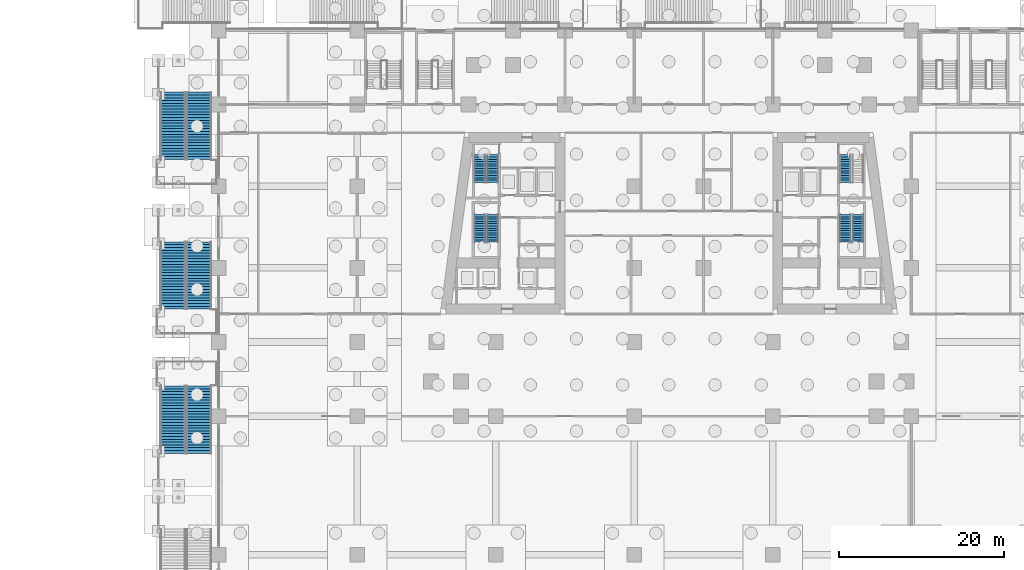
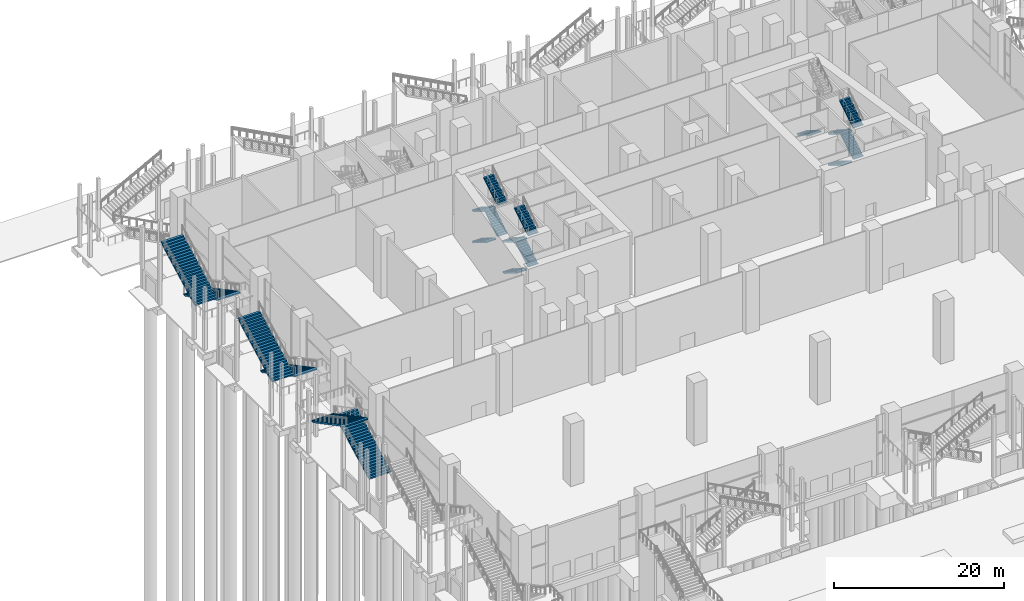
# One storey, part 52 of 72: 19 stair flights, 7 elements without a shape of their own.
"""IFC4 building model written with IfcOpenShell, lengths in metres."""

from ifc_helpers import new_model, si_unit, direction, frame, origin, place, context, subcontext, project, spatial, polyline, outline, extrude, material, type_object, element, aggregate, save


model = new_model("IFC4")

# Units and contexts
model_context = context("Model", 3, precision=1e-05, world=origin(), true_north=direction((0.0, 1.0)))
body_context = subcontext(model_context, "Body", "Model", "MODEL_VIEW")
ifc_project = project(units=[si_unit("LENGTHUNIT", "METRE"), si_unit("AREAUNIT", "SQUARE_METRE"), si_unit("VOLUMEUNIT", "CUBIC_METRE"), si_unit("PLANEANGLEUNIT", "RADIAN"), si_unit("MASSUNIT", "GRAM", prefix="KILO")], contexts=[model_context])

# Site, building, storey
site_placement = place(None, origin())
site = spatial("IfcSite", under=ifc_project, at=site_placement, CompositionType="ELEMENT")
building_placement = place(site_placement, origin())
building = spatial("IfcBuilding", under=site, at=building_placement, Name="Candeia Pilgrim Tower and Theatre", CompositionType="ELEMENT")
storey_placement = place(building_placement, origin())
storey = spatial("IfcBuildingStorey", under=building, at=storey_placement, Name="L00", CompositionType="ELEMENT", Elevation=0.0)

# Stair, stair flights
ifc_material = material(Name="Concrete C40/50", Category="concrete")
stair_type_1 = type_object("IfcStairType", Name="ST-EXT external escape stair", PredefinedType="HALF_TURN_STAIR", material=ifc_material)
stair_1_placement = place(storey_placement, origin())
stair_1 = element("IfcStair", 1, at=stair_1_placement, inside=storey, type_object=stair_type_1, Name="L00 External escape stair ES12", PredefinedType="HALF_TURN_STAIR")
stair_flight_type_1 = type_object("IfcStairFlightType", Name="SFL-EXT stair flight", PredefinedType="STRAIGHT", material=ifc_material)
stair_flight_1_placement = place(storey_placement, frame((56.39990234375, 93.5, 0.0), z_axis=(0.0, 0.0, 1.0), x_axis=(0.0, 1.0, 0.0)))
stair_flight_1 = element("IfcStairFlight", 2, at=stair_flight_1_placement, type_object=stair_flight_type_1, Name="ES12 flight 1", NumberOfRisers=25, NumberOfTreads=24, PredefinedType="STRAIGHT", RiserHeight=0.18, TreadLength=0.34, context=body_context, shape_type="SweptSolid", body=[
    extrude(outline(polyline([(0.0, 0.0), (0.0, 0.179931640625), (0.340087890625, 0.179931640625), (0.340087890625, 0.360107421875), (0.679931640625, 0.360107421875), (0.679931640625, 0.5400390625), (1.02001953125, 0.5400390625), (1.02001953125, 0.719970703125), (1.360107421875, 0.719970703125), (1.360107421875, 0.89990234375), (1.699951171875, 0.89990234375), (1.699951171875, 1.080078125), (2.0400390625, 1.080078125), (2.0400390625, 1.260009765625), (2.3798828125, 1.260009765625), (2.3798828125, 1.43994140625), (2.719970703125, 1.43994140625), (2.719970703125, 1.6201171875), (3.06005859375, 1.6201171875), (3.06005859375, 1.800048828125), (3.39990234375, 1.800048828125), (3.39990234375, 1.97998046875), (3.739990234375, 1.97998046875), (3.739990234375, 2.159912109375), (4.080078125, 2.159912109375), (4.080078125, 2.340087890625), (4.419921875, 2.340087890625), (4.419921875, 2.52001953125), (4.760009765625, 2.52001953125), (4.760009765625, 2.699951171875), (5.10009765625, 2.699951171875), (5.10009765625, 2.8798828125), (5.43994140625, 2.8798828125), (5.43994140625, 3.06005859375), (5.780029296875, 3.06005859375), (5.780029296875, 3.239990234375), (6.1201171875, 3.239990234375), (6.1201171875, 3.419921875), (6.4599609375, 3.419921875), (6.4599609375, 3.60009765625), (6.800048828125, 3.60009765625), (6.800048828125, 3.780029296875), (7.139892578125, 3.780029296875), (7.139892578125, 3.9599609375), (7.47998046875, 3.9599609375), (7.47998046875, 4.139892578125), (7.820068359375, 4.139892578125), (7.820068359375, 4.320068359375), (8.159912109375, 4.320068359375), (8.159912109375, 4.5), (8.159912109375, 4.150390625), (0.3203125, 0.0), (0.0, 0.0)])), frame((0.0, 1.5, 0.0), z_axis=(0.0, -1.0, 0.0), x_axis=(1.0, 0.0, 0.0)), (0.0, 0.0, 1.0), 3.0),
])
stair_flight_2_placement = place(storey_placement, frame((53.25, 101.659912109375, 4.5), z_axis=(0.0, 0.0, 1.0), x_axis=(0.0, -1.0, 0.0)))
stair_flight_2 = element("IfcStairFlight", 3, at=stair_flight_2_placement, type_object=stair_flight_type_1, Name="ES12 flight 2", NumberOfRisers=25, NumberOfTreads=24, PredefinedType="STRAIGHT", RiserHeight=0.18, TreadLength=0.34, context=body_context, shape_type="SweptSolid", body=[
    extrude(outline(polyline([(0.0, 0.0), (0.0, 0.179931640625), (0.340087890625, 0.179931640625), (0.340087890625, 0.360107421875), (0.679931640625, 0.360107421875), (0.679931640625, 0.5400390625), (1.02001953125, 0.5400390625), (1.02001953125, 0.719970703125), (1.360107421875, 0.719970703125), (1.360107421875, 0.89990234375), (1.699951171875, 0.89990234375), (1.699951171875, 1.080078125), (2.0400390625, 1.080078125), (2.0400390625, 1.260009765625), (2.3798828125, 1.260009765625), (2.3798828125, 1.43994140625), (2.719970703125, 1.43994140625), (2.719970703125, 1.6201171875), (3.06005859375, 1.6201171875), (3.06005859375, 1.800048828125), (3.39990234375, 1.800048828125), (3.39990234375, 1.97998046875), (3.739990234375, 1.97998046875), (3.739990234375, 2.159912109375), (4.080078125, 2.159912109375), (4.080078125, 2.340087890625), (4.419921875, 2.340087890625), (4.419921875, 2.52001953125), (4.760009765625, 2.52001953125), (4.760009765625, 2.699951171875), (5.10009765625, 2.699951171875), (5.10009765625, 2.8798828125), (5.43994140625, 2.8798828125), (5.43994140625, 3.06005859375), (5.780029296875, 3.06005859375), (5.780029296875, 3.239990234375), (6.1201171875, 3.239990234375), (6.1201171875, 3.419921875), (6.4599609375, 3.419921875), (6.4599609375, 3.60009765625), (6.800048828125, 3.60009765625), (6.800048828125, 3.780029296875), (7.139892578125, 3.780029296875), (7.139892578125, 3.9599609375), (7.47998046875, 3.9599609375), (7.47998046875, 4.139892578125), (7.820068359375, 4.139892578125), (7.820068359375, 4.320068359375), (8.159912109375, 4.320068359375), (8.159912109375, 4.5), (8.159912109375, 4.150390625), (0.3203125, 0.0), (0.0, 0.0)])), frame((0.0, 1.5, 0.0), z_axis=(0.0, -1.0, 0.0), x_axis=(1.0, 0.0, 0.0)), (0.0, 0.0, 1.0), 3.0),
])
aggregate(stair_1, [stair_flight_1, stair_flight_2])

stair_2_placement = place(storey_placement, origin())
stair_2 = element("IfcStair", 4, at=stair_2_placement, inside=storey, type_object=stair_type_1, Name="L00 External escape stair ES13", PredefinedType="HALF_TURN_STAIR")
stair_flight_3_placement = place(storey_placement, frame((56.39990234375, 137.300048828125, 0.0), z_axis=(0.0, 0.0, 1.0), x_axis=(0.0, -1.0, 0.0)))
stair_flight_3 = element("IfcStairFlight", 5, at=stair_flight_3_placement, type_object=stair_flight_type_1, Name="ES13 flight 1", NumberOfRisers=25, NumberOfTreads=24, PredefinedType="STRAIGHT", RiserHeight=0.18, TreadLength=0.34, context=body_context, shape_type="SweptSolid", body=[
    extrude(outline(polyline([(0.0, 0.0), (0.0, 0.179931640625), (0.340087890625, 0.179931640625), (0.340087890625, 0.360107421875), (0.679931640625, 0.360107421875), (0.679931640625, 0.5400390625), (1.02001953125, 0.5400390625), (1.02001953125, 0.719970703125), (1.360107421875, 0.719970703125), (1.360107421875, 0.89990234375), (1.699951171875, 0.89990234375), (1.699951171875, 1.080078125), (2.0400390625, 1.080078125), (2.0400390625, 1.260009765625), (2.3798828125, 1.260009765625), (2.3798828125, 1.43994140625), (2.719970703125, 1.43994140625), (2.719970703125, 1.6201171875), (3.06005859375, 1.6201171875), (3.06005859375, 1.800048828125), (3.39990234375, 1.800048828125), (3.39990234375, 1.97998046875), (3.739990234375, 1.97998046875), (3.739990234375, 2.159912109375), (4.080078125, 2.159912109375), (4.080078125, 2.340087890625), (4.419921875, 2.340087890625), (4.419921875, 2.52001953125), (4.760009765625, 2.52001953125), (4.760009765625, 2.699951171875), (5.10009765625, 2.699951171875), (5.10009765625, 2.8798828125), (5.43994140625, 2.8798828125), (5.43994140625, 3.06005859375), (5.780029296875, 3.06005859375), (5.780029296875, 3.239990234375), (6.1201171875, 3.239990234375), (6.1201171875, 3.419921875), (6.4599609375, 3.419921875), (6.4599609375, 3.60009765625), (6.800048828125, 3.60009765625), (6.800048828125, 3.780029296875), (7.139892578125, 3.780029296875), (7.139892578125, 3.9599609375), (7.47998046875, 3.9599609375), (7.47998046875, 4.139892578125), (7.820068359375, 4.139892578125), (7.820068359375, 4.320068359375), (8.159912109375, 4.320068359375), (8.159912109375, 4.5), (8.159912109375, 4.150390625), (0.3203125, 0.0), (0.0, 0.0)])), frame((0.0, 1.5, 0.0), z_axis=(0.0, -1.0, 0.0), x_axis=(1.0, 0.0, 0.0)), (0.0, 0.0, 1.0), 3.0),
])
stair_flight_4_placement = place(storey_placement, frame((53.25, 129.139892578125, 4.5), z_axis=(0.0, 0.0, 1.0), x_axis=(0.0, 1.0, 0.0)))
stair_flight_4 = element("IfcStairFlight", 6, at=stair_flight_4_placement, type_object=stair_flight_type_1, Name="ES13 flight 2", NumberOfRisers=25, NumberOfTreads=24, PredefinedType="STRAIGHT", RiserHeight=0.18, TreadLength=0.34, context=body_context, shape_type="SweptSolid", body=[
    extrude(outline(polyline([(0.0, 0.0), (0.0, 0.179931640625), (0.340087890625, 0.179931640625), (0.340087890625, 0.360107421875), (0.679931640625, 0.360107421875), (0.679931640625, 0.5400390625), (1.02001953125, 0.5400390625), (1.02001953125, 0.719970703125), (1.360107421875, 0.719970703125), (1.360107421875, 0.89990234375), (1.699951171875, 0.89990234375), (1.699951171875, 1.080078125), (2.0400390625, 1.080078125), (2.0400390625, 1.260009765625), (2.3798828125, 1.260009765625), (2.3798828125, 1.43994140625), (2.719970703125, 1.43994140625), (2.719970703125, 1.6201171875), (3.06005859375, 1.6201171875), (3.06005859375, 1.800048828125), (3.39990234375, 1.800048828125), (3.39990234375, 1.97998046875), (3.739990234375, 1.97998046875), (3.739990234375, 2.159912109375), (4.080078125, 2.159912109375), (4.080078125, 2.340087890625), (4.419921875, 2.340087890625), (4.419921875, 2.52001953125), (4.760009765625, 2.52001953125), (4.760009765625, 2.699951171875), (5.10009765625, 2.699951171875), (5.10009765625, 2.8798828125), (5.43994140625, 2.8798828125), (5.43994140625, 3.06005859375), (5.780029296875, 3.06005859375), (5.780029296875, 3.239990234375), (6.1201171875, 3.239990234375), (6.1201171875, 3.419921875), (6.4599609375, 3.419921875), (6.4599609375, 3.60009765625), (6.800048828125, 3.60009765625), (6.800048828125, 3.780029296875), (7.139892578125, 3.780029296875), (7.139892578125, 3.9599609375), (7.47998046875, 3.9599609375), (7.47998046875, 4.139892578125), (7.820068359375, 4.139892578125), (7.820068359375, 4.320068359375), (8.159912109375, 4.320068359375), (8.159912109375, 4.5), (8.159912109375, 4.150390625), (0.3203125, 0.0), (0.0, 0.0)])), frame((0.0, 1.5, 0.0), z_axis=(0.0, -1.0, 0.0), x_axis=(1.0, 0.0, 0.0)), (0.0, 0.0, 1.0), 3.0),
])
aggregate(stair_2, [stair_flight_3, stair_flight_4])

stair_3_placement = place(storey_placement, origin())
stair_3 = element("IfcStair", 7, at=stair_3_placement, inside=storey, type_object=stair_type_1, Name="L00 External escape stair ES15", PredefinedType="HALF_TURN_STAIR")
stair_flight_5_placement = place(storey_placement, frame((56.39990234375, 119.14990234375, 0.0), z_axis=(0.0, 0.0, 1.0), x_axis=(0.0, -1.0, 0.0)))
stair_flight_5 = element("IfcStairFlight", 8, at=stair_flight_5_placement, type_object=stair_flight_type_1, Name="ES15 flight 1", NumberOfRisers=25, NumberOfTreads=24, PredefinedType="STRAIGHT", RiserHeight=0.18, TreadLength=0.34, context=body_context, shape_type="SweptSolid", body=[
    extrude(outline(polyline([(0.0, 0.0), (0.0, 0.179931640625), (0.340087890625, 0.179931640625), (0.340087890625, 0.360107421875), (0.679931640625, 0.360107421875), (0.679931640625, 0.5400390625), (1.02001953125, 0.5400390625), (1.02001953125, 0.719970703125), (1.360107421875, 0.719970703125), (1.360107421875, 0.89990234375), (1.699951171875, 0.89990234375), (1.699951171875, 1.080078125), (2.0400390625, 1.080078125), (2.0400390625, 1.260009765625), (2.3798828125, 1.260009765625), (2.3798828125, 1.43994140625), (2.719970703125, 1.43994140625), (2.719970703125, 1.6201171875), (3.06005859375, 1.6201171875), (3.06005859375, 1.800048828125), (3.39990234375, 1.800048828125), (3.39990234375, 1.97998046875), (3.739990234375, 1.97998046875), (3.739990234375, 2.159912109375), (4.080078125, 2.159912109375), (4.080078125, 2.340087890625), (4.419921875, 2.340087890625), (4.419921875, 2.52001953125), (4.760009765625, 2.52001953125), (4.760009765625, 2.699951171875), (5.10009765625, 2.699951171875), (5.10009765625, 2.8798828125), (5.43994140625, 2.8798828125), (5.43994140625, 3.06005859375), (5.780029296875, 3.06005859375), (5.780029296875, 3.239990234375), (6.1201171875, 3.239990234375), (6.1201171875, 3.419921875), (6.4599609375, 3.419921875), (6.4599609375, 3.60009765625), (6.800048828125, 3.60009765625), (6.800048828125, 3.780029296875), (7.139892578125, 3.780029296875), (7.139892578125, 3.9599609375), (7.47998046875, 3.9599609375), (7.47998046875, 4.139892578125), (7.820068359375, 4.139892578125), (7.820068359375, 4.320068359375), (8.159912109375, 4.320068359375), (8.159912109375, 4.5), (8.159912109375, 4.150390625), (0.3203125, 0.0), (0.0, 0.0)])), frame((0.0, 1.5, 0.0), z_axis=(0.0, -1.0, 0.0), x_axis=(1.0, 0.0, 0.0)), (0.0, 0.0, 1.0), 3.0),
])
stair_flight_6_placement = place(storey_placement, frame((53.25, 110.989990234375, 4.5), z_axis=(0.0, 0.0, 1.0), x_axis=(0.0, 1.0, 0.0)))
stair_flight_6 = element("IfcStairFlight", 9, at=stair_flight_6_placement, type_object=stair_flight_type_1, Name="ES15 flight 2", NumberOfRisers=25, NumberOfTreads=24, PredefinedType="STRAIGHT", RiserHeight=0.18, TreadLength=0.34, context=body_context, shape_type="SweptSolid", body=[
    extrude(outline(polyline([(0.0, 0.0), (0.0, 0.179931640625), (0.340087890625, 0.179931640625), (0.340087890625, 0.360107421875), (0.679931640625, 0.360107421875), (0.679931640625, 0.5400390625), (1.02001953125, 0.5400390625), (1.02001953125, 0.719970703125), (1.360107421875, 0.719970703125), (1.360107421875, 0.89990234375), (1.699951171875, 0.89990234375), (1.699951171875, 1.080078125), (2.0400390625, 1.080078125), (2.0400390625, 1.260009765625), (2.3798828125, 1.260009765625), (2.3798828125, 1.43994140625), (2.719970703125, 1.43994140625), (2.719970703125, 1.6201171875), (3.06005859375, 1.6201171875), (3.06005859375, 1.800048828125), (3.39990234375, 1.800048828125), (3.39990234375, 1.97998046875), (3.739990234375, 1.97998046875), (3.739990234375, 2.159912109375), (4.080078125, 2.159912109375), (4.080078125, 2.340087890625), (4.419921875, 2.340087890625), (4.419921875, 2.52001953125), (4.760009765625, 2.52001953125), (4.760009765625, 2.699951171875), (5.10009765625, 2.699951171875), (5.10009765625, 2.8798828125), (5.43994140625, 2.8798828125), (5.43994140625, 3.06005859375), (5.780029296875, 3.06005859375), (5.780029296875, 3.239990234375), (6.1201171875, 3.239990234375), (6.1201171875, 3.419921875), (6.4599609375, 3.419921875), (6.4599609375, 3.60009765625), (6.800048828125, 3.60009765625), (6.800048828125, 3.780029296875), (7.139892578125, 3.780029296875), (7.139892578125, 3.9599609375), (7.47998046875, 3.9599609375), (7.47998046875, 4.139892578125), (7.820068359375, 4.139892578125), (7.820068359375, 4.320068359375), (8.159912109375, 4.320068359375), (8.159912109375, 4.5), (8.159912109375, 4.150390625), (0.3203125, 0.0), (0.0, 0.0)])), frame((0.0, 1.5, 0.0), z_axis=(0.0, -1.0, 0.0), x_axis=(1.0, 0.0, 0.0)), (0.0, 0.0, 1.0), 3.0),
])
aggregate(stair_3, [stair_flight_5, stair_flight_6])

stair_type_2 = type_object("IfcStairType", Name="ST-TWR dog-leg escape stair", PredefinedType="HALF_TURN_STAIR", material=ifc_material)
stair_4_placement = place(storey_placement, origin())
stair_4 = element("IfcStair", 10, at=stair_4_placement, inside=storey, type_object=stair_type_2, Name="L00 Escape stair ST1", PredefinedType="HALF_TURN_STAIR")
stair_flight_type_2 = type_object("IfcStairFlightType", Name="SFL-RC stair flight", PredefinedType="STRAIGHT", material=ifc_material)
stair_flight_7_placement = place(storey_placement, frame((90.47705078125, 122.47509765625, 0.0), z_axis=(0.0, 0.0, 1.0), x_axis=(0.0, -1.0, 0.0)))
stair_flight_7 = element("IfcStairFlight", 11, at=stair_flight_7_placement, type_object=stair_flight_type_2, Name="ST1 flight 1", NumberOfRisers=13, NumberOfTreads=12, PredefinedType="STRAIGHT", RiserHeight=0.173076923, TreadLength=0.28, context=body_context, shape_type="SweptSolid", body=[
    extrude(outline(polyline([(0.0, 0.0), (0.0, 0.173095703125), (0.280029296875, 0.173095703125), (0.280029296875, 0.34619140625), (0.56005859375, 0.34619140625), (0.56005859375, 0.519287109375), (0.840087890625, 0.519287109375), (0.840087890625, 0.6923828125), (1.1201171875, 0.6923828125), (1.1201171875, 0.865478515625), (1.39990234375, 0.865478515625), (1.39990234375, 1.03857421875), (1.679931640625, 1.03857421875), (1.679931640625, 1.21142578125), (1.9599609375, 1.21142578125), (1.9599609375, 1.384521484375), (2.239990234375, 1.384521484375), (2.239990234375, 1.5576171875), (2.52001953125, 1.5576171875), (2.52001953125, 1.730712890625), (2.800048828125, 1.730712890625), (2.800048828125, 1.90380859375), (3.080078125, 1.90380859375), (3.080078125, 2.076904296875), (3.360107421875, 2.076904296875), (3.360107421875, 2.25), (3.360107421875, 1.900634765625), (0.28515625, 0.0), (0.0, 0.0)])), frame((0.0, 0.675048828125, 0.0), z_axis=(0.0, -1.0, 0.0), x_axis=(1.0, 0.0, 0.0)), (0.0, 0.0, 1.0), 1.35009765625),
])
stair_flight_8_placement = place(storey_placement, frame((92.027099609375, 119.114990234375, 2.25), z_axis=(0.0, 0.0, 1.0), x_axis=(0.0, 1.0, 0.0)))
stair_flight_8 = element("IfcStairFlight", 12, at=stair_flight_8_placement, type_object=stair_flight_type_2, Name="ST1 flight 2", NumberOfRisers=13, NumberOfTreads=12, PredefinedType="STRAIGHT", RiserHeight=0.173076923, TreadLength=0.28, context=body_context, shape_type="SweptSolid", body=[
    extrude(outline(polyline([(0.0, 0.0), (0.0, 0.173095703125), (0.280029296875, 0.173095703125), (0.280029296875, 0.34619140625), (0.56005859375, 0.34619140625), (0.56005859375, 0.519287109375), (0.840087890625, 0.519287109375), (0.840087890625, 0.6923828125), (1.1201171875, 0.6923828125), (1.1201171875, 0.865478515625), (1.39990234375, 0.865478515625), (1.39990234375, 1.03857421875), (1.679931640625, 1.03857421875), (1.679931640625, 1.21142578125), (1.9599609375, 1.21142578125), (1.9599609375, 1.384521484375), (2.239990234375, 1.384521484375), (2.239990234375, 1.5576171875), (2.52001953125, 1.5576171875), (2.52001953125, 1.730712890625), (2.800048828125, 1.730712890625), (2.800048828125, 1.90380859375), (3.080078125, 1.90380859375), (3.080078125, 2.076904296875), (3.360107421875, 2.076904296875), (3.360107421875, 2.25), (3.360107421875, 1.900634765625), (0.28515625, 0.0), (0.0, 0.0)])), frame((0.0, 0.675048828125, 0.0), z_axis=(0.0, -1.0, 0.0), x_axis=(1.0, 0.0, 0.0)), (0.0, 0.0, 1.0), 1.35009765625),
])
stair_flight_9_placement = place(storey_placement, frame((90.47705078125, 122.47509765625, 4.5), z_axis=(0.0, 0.0, 1.0), x_axis=(0.0, -1.0, 0.0)))
stair_flight_9 = element("IfcStairFlight", 13, at=stair_flight_9_placement, type_object=stair_flight_type_2, Name="ST1 flight 3", NumberOfRisers=13, NumberOfTreads=12, PredefinedType="STRAIGHT", RiserHeight=0.173076923, TreadLength=0.28, context=body_context, shape_type="SweptSolid", body=[
    extrude(outline(polyline([(0.0, 0.0), (0.0, 0.173095703125), (0.280029296875, 0.173095703125), (0.280029296875, 0.34619140625), (0.56005859375, 0.34619140625), (0.56005859375, 0.519287109375), (0.840087890625, 0.519287109375), (0.840087890625, 0.6923828125), (1.1201171875, 0.6923828125), (1.1201171875, 0.865478515625), (1.39990234375, 0.865478515625), (1.39990234375, 1.03857421875), (1.679931640625, 1.03857421875), (1.679931640625, 1.21142578125), (1.9599609375, 1.21142578125), (1.9599609375, 1.384521484375), (2.239990234375, 1.384521484375), (2.239990234375, 1.5576171875), (2.52001953125, 1.5576171875), (2.52001953125, 1.730712890625), (2.800048828125, 1.730712890625), (2.800048828125, 1.90380859375), (3.080078125, 1.90380859375), (3.080078125, 2.076904296875), (3.360107421875, 2.076904296875), (3.360107421875, 2.25), (3.360107421875, 1.900634765625), (0.28515625, 0.0), (0.0, 0.0)])), frame((0.0, 0.675048828125, 0.0), z_axis=(0.0, -1.0, 0.0), x_axis=(1.0, 0.0, 0.0)), (0.0, 0.0, 1.0), 1.35009765625),
])
stair_flight_10_placement = place(storey_placement, frame((92.027099609375, 119.114990234375, 6.75), z_axis=(0.0, 0.0, 1.0), x_axis=(0.0, 1.0, 0.0)))
stair_flight_10 = element("IfcStairFlight", 14, at=stair_flight_10_placement, type_object=stair_flight_type_2, Name="ST1 flight 4", NumberOfRisers=13, NumberOfTreads=12, PredefinedType="STRAIGHT", RiserHeight=0.173076923, TreadLength=0.28, context=body_context, shape_type="SweptSolid", body=[
    extrude(outline(polyline([(0.0, 0.0), (0.0, 0.173095703125), (0.280029296875, 0.173095703125), (0.280029296875, 0.34619140625), (0.56005859375, 0.34619140625), (0.56005859375, 0.519287109375), (0.840087890625, 0.519287109375), (0.840087890625, 0.6923828125), (1.1201171875, 0.6923828125), (1.1201171875, 0.865478515625), (1.39990234375, 0.865478515625), (1.39990234375, 1.03857421875), (1.679931640625, 1.03857421875), (1.679931640625, 1.21142578125), (1.9599609375, 1.21142578125), (1.9599609375, 1.384521484375), (2.239990234375, 1.384521484375), (2.239990234375, 1.5576171875), (2.52001953125, 1.5576171875), (2.52001953125, 1.730712890625), (2.800048828125, 1.730712890625), (2.800048828125, 1.90380859375), (3.080078125, 1.90380859375), (3.080078125, 2.076904296875), (3.360107421875, 2.076904296875), (3.360107421875, 2.25), (3.360107421875, 1.900634765625), (0.28515625, 0.0), (0.0, 0.0)])), frame((0.0, 0.675048828125, 0.0), z_axis=(0.0, -1.0, 0.0), x_axis=(1.0, 0.0, 0.0)), (0.0, 0.0, 1.0), 1.35009765625),
])
aggregate(stair_4, [stair_flight_7, stair_flight_8, stair_flight_9, stair_flight_10])

stair_5_placement = place(storey_placement, origin())
stair_5 = element("IfcStair", 15, at=stair_5_placement, inside=storey, type_object=stair_type_2, Name="L00 Escape stair ST2", PredefinedType="HALF_TURN_STAIR")
stair_flight_11_placement = place(storey_placement, frame((90.47705078125, 129.72509765625, 0.0), z_axis=(0.0, 0.0, 1.0), x_axis=(0.0, -1.0, 0.0)))
stair_flight_11 = element("IfcStairFlight", 16, at=stair_flight_11_placement, type_object=stair_flight_type_2, Name="ST2 flight 1", NumberOfRisers=13, NumberOfTreads=12, PredefinedType="STRAIGHT", RiserHeight=0.173076923, TreadLength=0.28, context=body_context, shape_type="SweptSolid", body=[
    extrude(outline(polyline([(0.0, 0.0), (0.0, 0.173095703125), (0.280029296875, 0.173095703125), (0.280029296875, 0.34619140625), (0.56005859375, 0.34619140625), (0.56005859375, 0.519287109375), (0.840087890625, 0.519287109375), (0.840087890625, 0.6923828125), (1.1201171875, 0.6923828125), (1.1201171875, 0.865478515625), (1.39990234375, 0.865478515625), (1.39990234375, 1.03857421875), (1.679931640625, 1.03857421875), (1.679931640625, 1.21142578125), (1.9599609375, 1.21142578125), (1.9599609375, 1.384521484375), (2.239990234375, 1.384521484375), (2.239990234375, 1.5576171875), (2.52001953125, 1.5576171875), (2.52001953125, 1.730712890625), (2.800048828125, 1.730712890625), (2.800048828125, 1.90380859375), (3.080078125, 1.90380859375), (3.080078125, 2.076904296875), (3.360107421875, 2.076904296875), (3.360107421875, 2.25), (3.360107421875, 1.900634765625), (0.28515625, 0.0), (0.0, 0.0)])), frame((0.0, 0.675048828125, 0.0), z_axis=(0.0, -1.0, 0.0), x_axis=(1.0, 0.0, 0.0)), (0.0, 0.0, 1.0), 1.35009765625),
])
stair_flight_12_placement = place(storey_placement, frame((92.027099609375, 126.364990234375, 2.25), z_axis=(0.0, 0.0, 1.0), x_axis=(0.0, 1.0, 0.0)))
stair_flight_12 = element("IfcStairFlight", 17, at=stair_flight_12_placement, type_object=stair_flight_type_2, Name="ST2 flight 2", NumberOfRisers=13, NumberOfTreads=12, PredefinedType="STRAIGHT", RiserHeight=0.173076923, TreadLength=0.28, context=body_context, shape_type="SweptSolid", body=[
    extrude(outline(polyline([(0.0, 0.0), (0.0, 0.173095703125), (0.280029296875, 0.173095703125), (0.280029296875, 0.34619140625), (0.56005859375, 0.34619140625), (0.56005859375, 0.519287109375), (0.840087890625, 0.519287109375), (0.840087890625, 0.6923828125), (1.1201171875, 0.6923828125), (1.1201171875, 0.865478515625), (1.39990234375, 0.865478515625), (1.39990234375, 1.03857421875), (1.679931640625, 1.03857421875), (1.679931640625, 1.21142578125), (1.9599609375, 1.21142578125), (1.9599609375, 1.384521484375), (2.239990234375, 1.384521484375), (2.239990234375, 1.5576171875), (2.52001953125, 1.5576171875), (2.52001953125, 1.730712890625), (2.800048828125, 1.730712890625), (2.800048828125, 1.90380859375), (3.080078125, 1.90380859375), (3.080078125, 2.076904296875), (3.360107421875, 2.076904296875), (3.360107421875, 2.25), (3.360107421875, 1.900634765625), (0.28515625, 0.0), (0.0, 0.0)])), frame((0.0, 0.675048828125, 0.0), z_axis=(0.0, -1.0, 0.0), x_axis=(1.0, 0.0, 0.0)), (0.0, 0.0, 1.0), 1.35009765625),
])
stair_flight_13_placement = place(storey_placement, frame((90.47705078125, 129.72509765625, 4.5), z_axis=(0.0, 0.0, 1.0), x_axis=(0.0, -1.0, 0.0)))
stair_flight_13 = element("IfcStairFlight", 18, at=stair_flight_13_placement, type_object=stair_flight_type_2, Name="ST2 flight 3", NumberOfRisers=13, NumberOfTreads=12, PredefinedType="STRAIGHT", RiserHeight=0.173076923, TreadLength=0.28, context=body_context, shape_type="SweptSolid", body=[
    extrude(outline(polyline([(0.0, 0.0), (0.0, 0.173095703125), (0.280029296875, 0.173095703125), (0.280029296875, 0.34619140625), (0.56005859375, 0.34619140625), (0.56005859375, 0.519287109375), (0.840087890625, 0.519287109375), (0.840087890625, 0.6923828125), (1.1201171875, 0.6923828125), (1.1201171875, 0.865478515625), (1.39990234375, 0.865478515625), (1.39990234375, 1.03857421875), (1.679931640625, 1.03857421875), (1.679931640625, 1.21142578125), (1.9599609375, 1.21142578125), (1.9599609375, 1.384521484375), (2.239990234375, 1.384521484375), (2.239990234375, 1.5576171875), (2.52001953125, 1.5576171875), (2.52001953125, 1.730712890625), (2.800048828125, 1.730712890625), (2.800048828125, 1.90380859375), (3.080078125, 1.90380859375), (3.080078125, 2.076904296875), (3.360107421875, 2.076904296875), (3.360107421875, 2.25), (3.360107421875, 1.900634765625), (0.28515625, 0.0), (0.0, 0.0)])), frame((0.0, 0.675048828125, 0.0), z_axis=(0.0, -1.0, 0.0), x_axis=(1.0, 0.0, 0.0)), (0.0, 0.0, 1.0), 1.35009765625),
])
stair_flight_14_placement = place(storey_placement, frame((92.027099609375, 126.364990234375, 6.75), z_axis=(0.0, 0.0, 1.0), x_axis=(0.0, 1.0, 0.0)))
stair_flight_14 = element("IfcStairFlight", 19, at=stair_flight_14_placement, type_object=stair_flight_type_2, Name="ST2 flight 4", NumberOfRisers=13, NumberOfTreads=12, PredefinedType="STRAIGHT", RiserHeight=0.173076923, TreadLength=0.28, context=body_context, shape_type="SweptSolid", body=[
    extrude(outline(polyline([(0.0, 0.0), (0.0, 0.173095703125), (0.280029296875, 0.173095703125), (0.280029296875, 0.34619140625), (0.56005859375, 0.34619140625), (0.56005859375, 0.519287109375), (0.840087890625, 0.519287109375), (0.840087890625, 0.6923828125), (1.1201171875, 0.6923828125), (1.1201171875, 0.865478515625), (1.39990234375, 0.865478515625), (1.39990234375, 1.03857421875), (1.679931640625, 1.03857421875), (1.679931640625, 1.21142578125), (1.9599609375, 1.21142578125), (1.9599609375, 1.384521484375), (2.239990234375, 1.384521484375), (2.239990234375, 1.5576171875), (2.52001953125, 1.5576171875), (2.52001953125, 1.730712890625), (2.800048828125, 1.730712890625), (2.800048828125, 1.90380859375), (3.080078125, 1.90380859375), (3.080078125, 2.076904296875), (3.360107421875, 2.076904296875), (3.360107421875, 2.25), (3.360107421875, 1.900634765625), (0.28515625, 0.0), (0.0, 0.0)])), frame((0.0, 0.675048828125, 0.0), z_axis=(0.0, -1.0, 0.0), x_axis=(1.0, 0.0, 0.0)), (0.0, 0.0, 1.0), 1.35009765625),
])
aggregate(stair_5, [stair_flight_11, stair_flight_12, stair_flight_13, stair_flight_14])

stair_6_placement = place(storey_placement, origin())
stair_6 = element("IfcStair", 20, at=stair_6_placement, inside=storey, type_object=stair_type_2, Name="L00 Escape stair ST3", PredefinedType="HALF_TURN_STAIR")
stair_flight_15_placement = place(storey_placement, frame((134.77294921875, 122.47509765625, 0.0), z_axis=(0.0, 0.0, 1.0), x_axis=(0.0, -1.0, 0.0)))
stair_flight_15 = element("IfcStairFlight", 21, at=stair_flight_15_placement, type_object=stair_flight_type_2, Name="ST3 flight 1", NumberOfRisers=13, NumberOfTreads=12, PredefinedType="STRAIGHT", RiserHeight=0.173076923, TreadLength=0.28, context=body_context, shape_type="SweptSolid", body=[
    extrude(outline(polyline([(0.0, 0.0), (0.0, 0.173095703125), (0.280029296875, 0.173095703125), (0.280029296875, 0.34619140625), (0.56005859375, 0.34619140625), (0.56005859375, 0.519287109375), (0.840087890625, 0.519287109375), (0.840087890625, 0.6923828125), (1.1201171875, 0.6923828125), (1.1201171875, 0.865478515625), (1.39990234375, 0.865478515625), (1.39990234375, 1.03857421875), (1.679931640625, 1.03857421875), (1.679931640625, 1.21142578125), (1.9599609375, 1.21142578125), (1.9599609375, 1.384521484375), (2.239990234375, 1.384521484375), (2.239990234375, 1.5576171875), (2.52001953125, 1.5576171875), (2.52001953125, 1.730712890625), (2.800048828125, 1.730712890625), (2.800048828125, 1.90380859375), (3.080078125, 1.90380859375), (3.080078125, 2.076904296875), (3.360107421875, 2.076904296875), (3.360107421875, 2.25), (3.360107421875, 1.900634765625), (0.28515625, 0.0), (0.0, 0.0)])), frame((0.0, 0.675048828125, 0.0), z_axis=(0.0, -1.0, 0.0), x_axis=(1.0, 0.0, 0.0)), (0.0, 0.0, 1.0), 1.35009765625),
])
stair_flight_16_placement = place(storey_placement, frame((136.322998046875, 119.114990234375, 2.25), z_axis=(0.0, 0.0, 1.0), x_axis=(0.0, 1.0, 0.0)))
stair_flight_16 = element("IfcStairFlight", 22, at=stair_flight_16_placement, type_object=stair_flight_type_2, Name="ST3 flight 2", NumberOfRisers=13, NumberOfTreads=12, PredefinedType="STRAIGHT", RiserHeight=0.173076923, TreadLength=0.28, context=body_context, shape_type="SweptSolid", body=[
    extrude(outline(polyline([(0.0, 0.0), (0.0, 0.173095703125), (0.280029296875, 0.173095703125), (0.280029296875, 0.34619140625), (0.56005859375, 0.34619140625), (0.56005859375, 0.519287109375), (0.840087890625, 0.519287109375), (0.840087890625, 0.6923828125), (1.1201171875, 0.6923828125), (1.1201171875, 0.865478515625), (1.39990234375, 0.865478515625), (1.39990234375, 1.03857421875), (1.679931640625, 1.03857421875), (1.679931640625, 1.21142578125), (1.9599609375, 1.21142578125), (1.9599609375, 1.384521484375), (2.239990234375, 1.384521484375), (2.239990234375, 1.5576171875), (2.52001953125, 1.5576171875), (2.52001953125, 1.730712890625), (2.800048828125, 1.730712890625), (2.800048828125, 1.90380859375), (3.080078125, 1.90380859375), (3.080078125, 2.076904296875), (3.360107421875, 2.076904296875), (3.360107421875, 2.25), (3.360107421875, 1.900634765625), (0.28515625, 0.0), (0.0, 0.0)])), frame((0.0, 0.675048828125, 0.0), z_axis=(0.0, -1.0, 0.0), x_axis=(1.0, 0.0, 0.0)), (0.0, 0.0, 1.0), 1.35009765625),
])
stair_flight_17_placement = place(storey_placement, frame((134.77294921875, 122.47509765625, 4.5), z_axis=(0.0, 0.0, 1.0), x_axis=(0.0, -1.0, 0.0)))
stair_flight_17 = element("IfcStairFlight", 23, at=stair_flight_17_placement, type_object=stair_flight_type_2, Name="ST3 flight 3", NumberOfRisers=13, NumberOfTreads=12, PredefinedType="STRAIGHT", RiserHeight=0.173076923, TreadLength=0.28, context=body_context, shape_type="SweptSolid", body=[
    extrude(outline(polyline([(0.0, 0.0), (0.0, 0.173095703125), (0.280029296875, 0.173095703125), (0.280029296875, 0.34619140625), (0.56005859375, 0.34619140625), (0.56005859375, 0.519287109375), (0.840087890625, 0.519287109375), (0.840087890625, 0.6923828125), (1.1201171875, 0.6923828125), (1.1201171875, 0.865478515625), (1.39990234375, 0.865478515625), (1.39990234375, 1.03857421875), (1.679931640625, 1.03857421875), (1.679931640625, 1.21142578125), (1.9599609375, 1.21142578125), (1.9599609375, 1.384521484375), (2.239990234375, 1.384521484375), (2.239990234375, 1.5576171875), (2.52001953125, 1.5576171875), (2.52001953125, 1.730712890625), (2.800048828125, 1.730712890625), (2.800048828125, 1.90380859375), (3.080078125, 1.90380859375), (3.080078125, 2.076904296875), (3.360107421875, 2.076904296875), (3.360107421875, 2.25), (3.360107421875, 1.900634765625), (0.28515625, 0.0), (0.0, 0.0)])), frame((0.0, 0.675048828125, 0.0), z_axis=(0.0, -1.0, 0.0), x_axis=(1.0, 0.0, 0.0)), (0.0, 0.0, 1.0), 1.35009765625),
])
stair_flight_18_placement = place(storey_placement, frame((136.322998046875, 119.114990234375, 6.75), z_axis=(0.0, 0.0, 1.0), x_axis=(0.0, 1.0, 0.0)))
stair_flight_18 = element("IfcStairFlight", 24, at=stair_flight_18_placement, type_object=stair_flight_type_2, Name="ST3 flight 4", NumberOfRisers=13, NumberOfTreads=12, PredefinedType="STRAIGHT", RiserHeight=0.173076923, TreadLength=0.28, context=body_context, shape_type="SweptSolid", body=[
    extrude(outline(polyline([(0.0, 0.0), (0.0, 0.173095703125), (0.280029296875, 0.173095703125), (0.280029296875, 0.34619140625), (0.56005859375, 0.34619140625), (0.56005859375, 0.519287109375), (0.840087890625, 0.519287109375), (0.840087890625, 0.6923828125), (1.1201171875, 0.6923828125), (1.1201171875, 0.865478515625), (1.39990234375, 0.865478515625), (1.39990234375, 1.03857421875), (1.679931640625, 1.03857421875), (1.679931640625, 1.21142578125), (1.9599609375, 1.21142578125), (1.9599609375, 1.384521484375), (2.239990234375, 1.384521484375), (2.239990234375, 1.5576171875), (2.52001953125, 1.5576171875), (2.52001953125, 1.730712890625), (2.800048828125, 1.730712890625), (2.800048828125, 1.90380859375), (3.080078125, 1.90380859375), (3.080078125, 2.076904296875), (3.360107421875, 2.076904296875), (3.360107421875, 2.25), (3.360107421875, 1.900634765625), (0.28515625, 0.0), (0.0, 0.0)])), frame((0.0, 0.675048828125, 0.0), z_axis=(0.0, -1.0, 0.0), x_axis=(1.0, 0.0, 0.0)), (0.0, 0.0, 1.0), 1.35009765625),
])
aggregate(stair_6, [stair_flight_15, stair_flight_16, stair_flight_17, stair_flight_18])

# Stair, stair flight
stair_7_placement = place(storey_placement, origin())
stair_7 = element("IfcStair", 25, at=stair_7_placement, inside=storey, type_object=stair_type_2, Name="L00 Escape stair ST4", PredefinedType="HALF_TURN_STAIR")
stair_flight_19_placement = place(storey_placement, frame((134.77294921875, 129.72509765625, 0.0), z_axis=(0.0, 0.0, 1.0), x_axis=(0.0, -1.0, 0.0)))
stair_flight_19 = element("IfcStairFlight", 26, at=stair_flight_19_placement, type_object=stair_flight_type_2, Name="ST4 flight 1", NumberOfRisers=13, NumberOfTreads=12, PredefinedType="STRAIGHT", RiserHeight=0.173076923, TreadLength=0.28, context=body_context, shape_type="SweptSolid", body=[
    extrude(outline(polyline([(0.0, 0.0), (0.0, 0.173095703125), (0.280029296875, 0.173095703125), (0.280029296875, 0.34619140625), (0.56005859375, 0.34619140625), (0.56005859375, 0.519287109375), (0.840087890625, 0.519287109375), (0.840087890625, 0.6923828125), (1.1201171875, 0.6923828125), (1.1201171875, 0.865478515625), (1.39990234375, 0.865478515625), (1.39990234375, 1.03857421875), (1.679931640625, 1.03857421875), (1.679931640625, 1.21142578125), (1.9599609375, 1.21142578125), (1.9599609375, 1.384521484375), (2.239990234375, 1.384521484375), (2.239990234375, 1.5576171875), (2.52001953125, 1.5576171875), (2.52001953125, 1.730712890625), (2.800048828125, 1.730712890625), (2.800048828125, 1.90380859375), (3.080078125, 1.90380859375), (3.080078125, 2.076904296875), (3.360107421875, 2.076904296875), (3.360107421875, 2.25), (3.360107421875, 1.900634765625), (0.28515625, 0.0), (0.0, 0.0)])), frame((0.0, 0.675048828125, 0.0), z_axis=(0.0, -1.0, 0.0), x_axis=(1.0, 0.0, 0.0)), (0.0, 0.0, 1.0), 1.35009765625),
])
aggregate(stair_7, [stair_flight_19])

save(model, "model.ifc")
